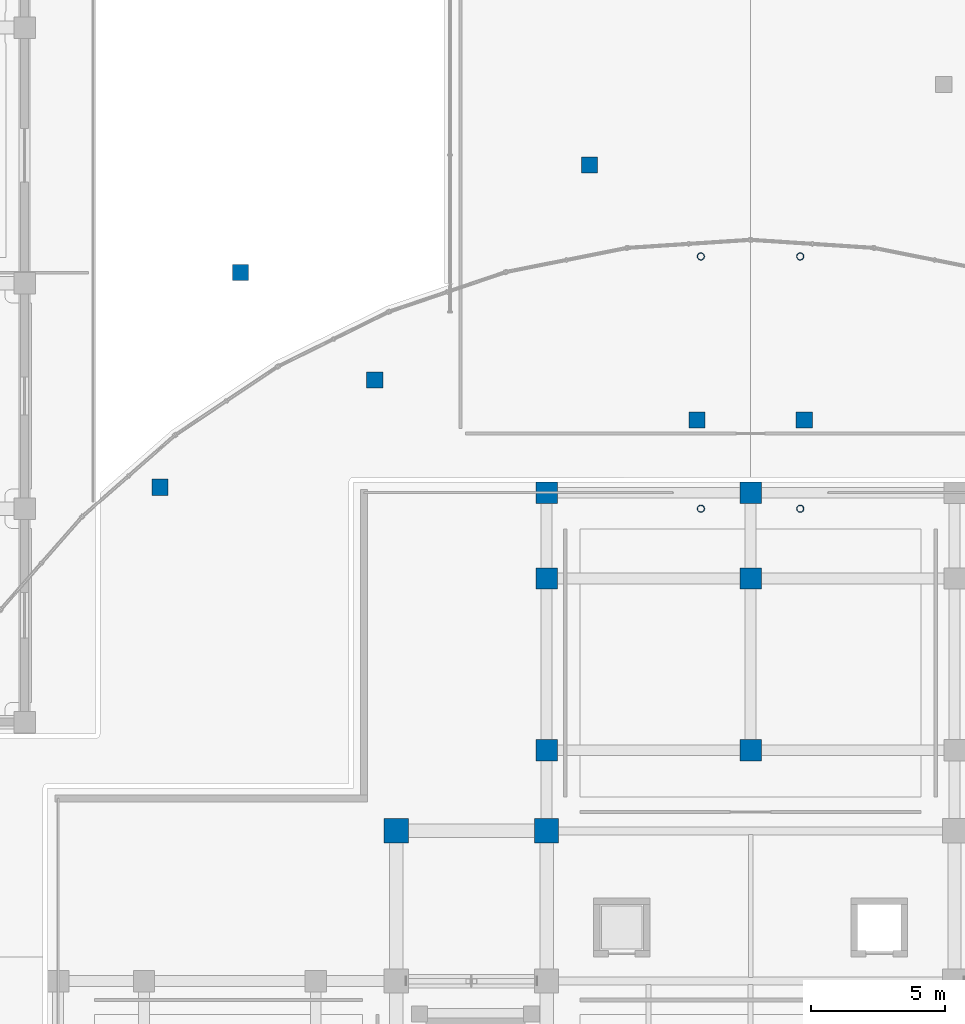
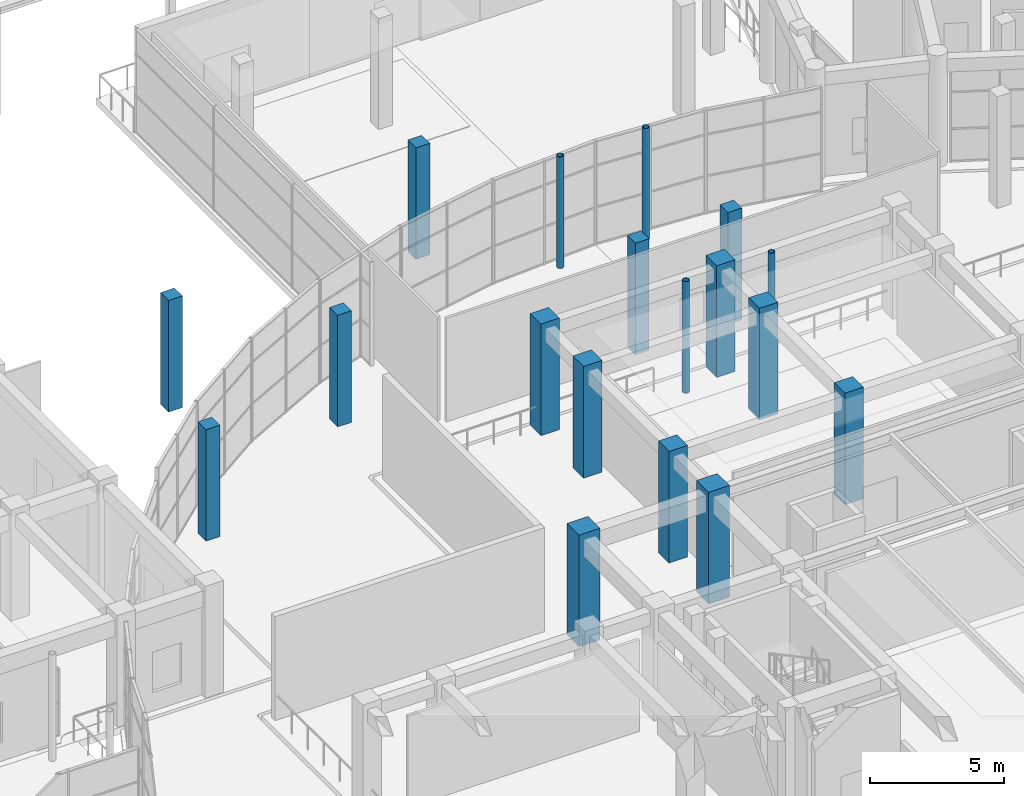
# One storey, part 11 of 99: 18 columns.
"""IFC4 building model written with IfcOpenShell, lengths in metres."""

from ifc_helpers import new_model, si_unit, direction, frame, origin, origin_2d, place, context, subcontext, project, spatial, rectangle, hollow_circle, extrude, material, material_profile, profile_set, type_object, element, save


model = new_model("IFC4")

# Units and contexts
model_context = context("Model", 3, precision=1e-05, world=origin(), true_north=direction((0.0, 1.0)))
body_context = subcontext(model_context, "Body", "Model", "MODEL_VIEW")
ifc_project = project(units=[si_unit("LENGTHUNIT", "METRE"), si_unit("AREAUNIT", "SQUARE_METRE"), si_unit("VOLUMEUNIT", "CUBIC_METRE"), si_unit("PLANEANGLEUNIT", "RADIAN"), si_unit("MASSUNIT", "GRAM", prefix="KILO")], contexts=[model_context])

# Site, building, storey
site_placement = place(None, origin())
site = spatial("IfcSite", under=ifc_project, at=site_placement, CompositionType="ELEMENT")
building_placement = place(site_placement, origin())
building = spatial("IfcBuilding", under=site, at=building_placement, Name="Saryqyr Civic Hall", CompositionType="ELEMENT")
storey_placement = place(building_placement, origin())
storey = spatial("IfcBuildingStorey", under=building, at=storey_placement, Name="L00", CompositionType="ELEMENT", Elevation=0.0)

# Columns
ifc_material_1 = material(Name="Steel S355", Category="steel")
ifc_material_profile_1 = material_profile(ifc_material_1, hollow_circle(Radius=0.136474609375, WallThickness=0.01611328125, at=origin_2d()), Name="CHS 273x16")
ifc_profile_set_1 = profile_set([ifc_material_profile_1], Name="Steel S355")
column_type_1 = type_object("IfcColumnType", Name="STR-COL-CHS273-S355", PredefinedType="COLUMN", material=ifc_profile_set_1)
for number, where, z_axis, x_axis, name in (
    (1, (55.14990234375, 109.199951171875, 0.0), (0.0, 0.0, 1.0), (1.0, 0.0, 0.0), "Column BRCOL-BR-CN-1-L00"),
    (2, (58.85009765625, 109.199951171875, 0.0), (0.0, 0.0, 1.0), (1.0, 0.0, 0.0), "Column BRCOL-BR-CN-2-L00"),
    (3, (58.85009765625, 118.60009765625, 0.0), (0.0, 0.0, 1.0), (1.0, 0.0, 0.0), "Column BRCOL-BR-CN-3-L00"),
    (4, (55.14990234375, 118.60009765625, 0.0), (0.0, 0.0, 1.0), (1.0, 0.0, 0.0), "Column BRCOL-BR-CN-4-L00"),
):
    element("IfcColumn", number, at=place(storey_placement, frame(where, z_axis=z_axis, x_axis=x_axis)), inside=storey, type_object=column_type_1, Name=name, PredefinedType="COLUMN", context=body_context, shape_type="SweptSolid", body=[
        extrude(hollow_circle(Radius=0.136474609375, WallThickness=0.01611328125, at=origin_2d()), origin(), (0.0, 0.0, 1.0), 5.10009765625),
    ])
ifc_material_2 = material(Name="Concrete C40/50", Category="concrete")
ifc_material_profile_2 = material_profile(ifc_material_2, rectangle(XDim=0.60009765625, YDim=0.60009765625, at=origin_2d()), Name="RC 600x600")
ifc_profile_set_2 = profile_set([ifc_material_profile_2], Name="Concrete C40/50")
column_type_2 = type_object("IfcColumnType", Name="STR-COL-RC600-C40", PredefinedType="COLUMN", material=ifc_profile_set_2)
for number, where, z_axis, x_axis, name in (
    (5, (38.0, 118.0, 0.0), (0.0, 0.0, 1.0), (1.0, 0.0, 0.0), "Column V2-XCOL-16-L00"),
    (6, (43.0, 114.0, 0.0), (0.0, 0.0, 1.0), (1.0, 0.0, 0.0), "Column V2-XCOL-17-L00"),
    (7, (35.0, 110.0, 0.0), (0.0, 0.0, 1.0), (1.0, 0.0, 0.0), "Column V2-XCOL-18-L00"),
    (8, (51.0, 122.0, 0.0), (0.0, 0.0, 1.0), (1.0, 0.0, 0.0), "Column V2-XCOL-21-L00"),
    (9, (55.0, 112.5, 0.0), (0.0, 0.0, 1.0), (1.0, 0.0, 0.0), "Column V2-XCOL-33-L00"),
    (10, (59.0, 112.5, 0.0), (0.0, 0.0, 1.0), (1.0, 0.0, 0.0), "Column V2-XCOL-34-L00"),
):
    element("IfcColumn", number, at=place(storey_placement, frame(where, z_axis=z_axis, x_axis=x_axis)), inside=storey, type_object=column_type_2, Name=name, PredefinedType="COLUMN", context=body_context, shape_type="SweptSolid", body=[
        extrude(rectangle(XDim=0.60009765625, YDim=0.60009765625, at=origin_2d()), origin(), (0.0, 0.0, 1.0), 5.10009765625),
    ])
ifc_material_profile_3 = material_profile(ifc_material_2, rectangle(XDim=0.800048828125, YDim=0.800048828125, at=origin_2d()), Name="RC 800x800")
ifc_profile_set_3 = profile_set([ifc_material_profile_3], Name="Concrete C40/50")
column_type_3 = type_object("IfcColumnType", Name="STR-COL-RC800-C40", PredefinedType="COLUMN", material=ifc_profile_set_3)
for number, where, z_axis, x_axis, name in (
    (11, (49.39990234375, 100.199951171875, 0.0), (0.0, 0.0, 1.0), (1.0, 0.0, 0.0), "Column V1-COL-S3P10-L00"),
    (12, (57.0, 100.199951171875, 0.0), (0.0, 0.0, 1.0), (1.0, 0.0, 0.0), "Column V1-COL-S3P11-L00"),
    (13, (49.39990234375, 106.60009765625, 0.0), (0.0, 0.0, 1.0), (1.0, 0.0, 0.0), "Column V1-COL-S1P10-L00"),
    (14, (57.0, 106.60009765625, 0.0), (0.0, 0.0, 1.0), (1.0, 0.0, 0.0), "Column V1-COL-S1P11-L00"),
    (15, (49.39990234375, 109.800048828125, 0.0), (0.0, 0.0, 1.0), (1.0, 0.0, 0.0), "Column V1-COL-S0P10-L00"),
    (16, (57.0, 109.800048828125, 0.0), (0.0, 0.0, 1.0), (1.0, 0.0, 0.0), "Column V1-COL-S0P11-L00"),
):
    element("IfcColumn", number, at=place(storey_placement, frame(where, z_axis=z_axis, x_axis=x_axis)), inside=storey, type_object=column_type_3, Name=name, PredefinedType="COLUMN", context=body_context, shape_type="SweptSolid", body=[
        extrude(rectangle(XDim=0.800048828125, YDim=0.800048828125, at=origin_2d()), origin(), (0.0, 0.0, 1.0), 5.10009765625),
    ])
ifc_material_profile_4 = material_profile(ifc_material_2, rectangle(XDim=0.89990234375, YDim=0.89990234375, at=origin_2d()), Name="RC 900x900")
ifc_profile_set_4 = profile_set([ifc_material_profile_4], Name="Concrete C40/50")
column_type_4 = type_object("IfcColumnType", Name="STR-COL-RC900-C40", PredefinedType="COLUMN", material=ifc_profile_set_4)
for number, where, z_axis, x_axis, name in (
    (17, (43.800048828125, 97.199951171875, 0.0), (0.0, 0.0, 1.0), (1.0, 0.0, 0.0), "Column V1-COL-C14-L00"),
    (18, (49.39990234375, 97.199951171875, 0.0), (0.0, 0.0, 1.0), (1.0, 0.0, 0.0), "Column V1-COL-C24-L00"),
):
    element("IfcColumn", number, at=place(storey_placement, frame(where, z_axis=z_axis, x_axis=x_axis)), inside=storey, type_object=column_type_4, Name=name, PredefinedType="COLUMN", context=body_context, shape_type="SweptSolid", body=[
        extrude(rectangle(XDim=0.89990234375, YDim=0.89990234375, at=origin_2d()), origin(), (0.0, 0.0, 1.0), 5.10009765625),
    ])

save(model, "model.ifc")
